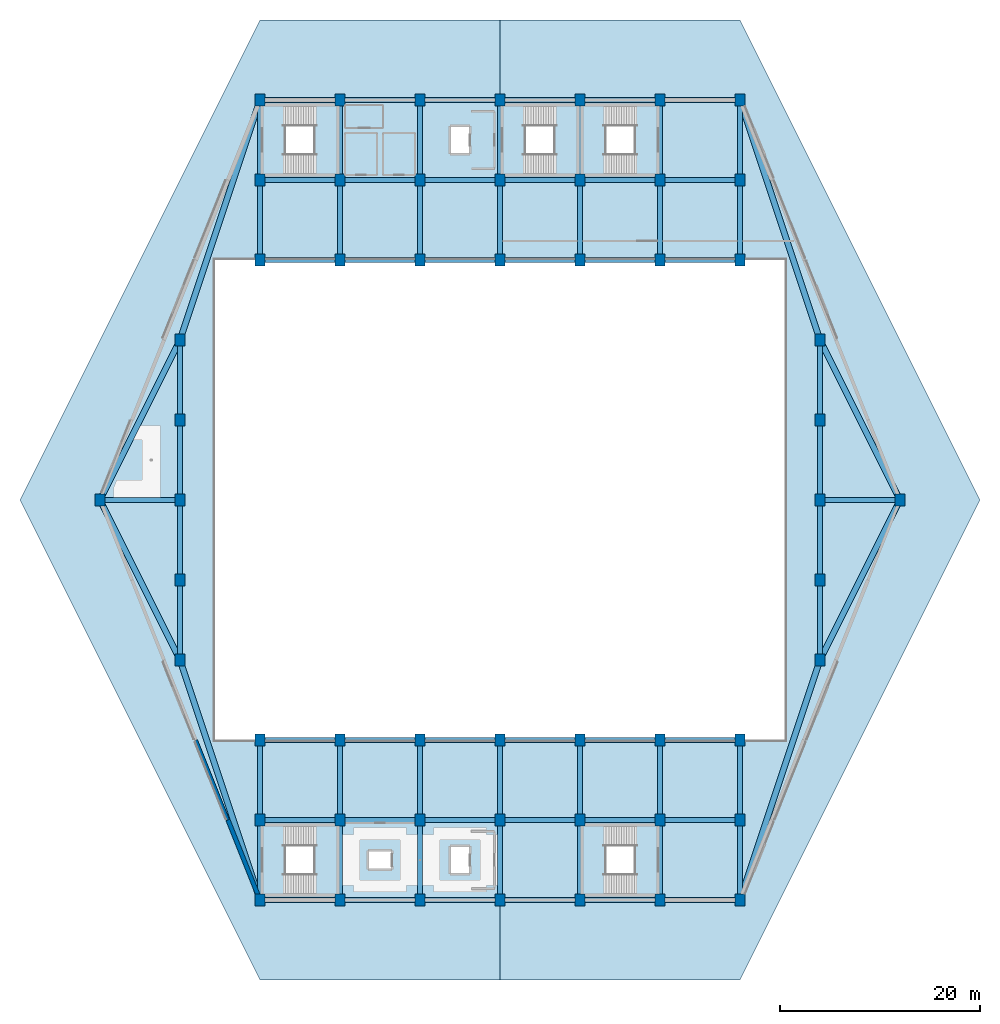
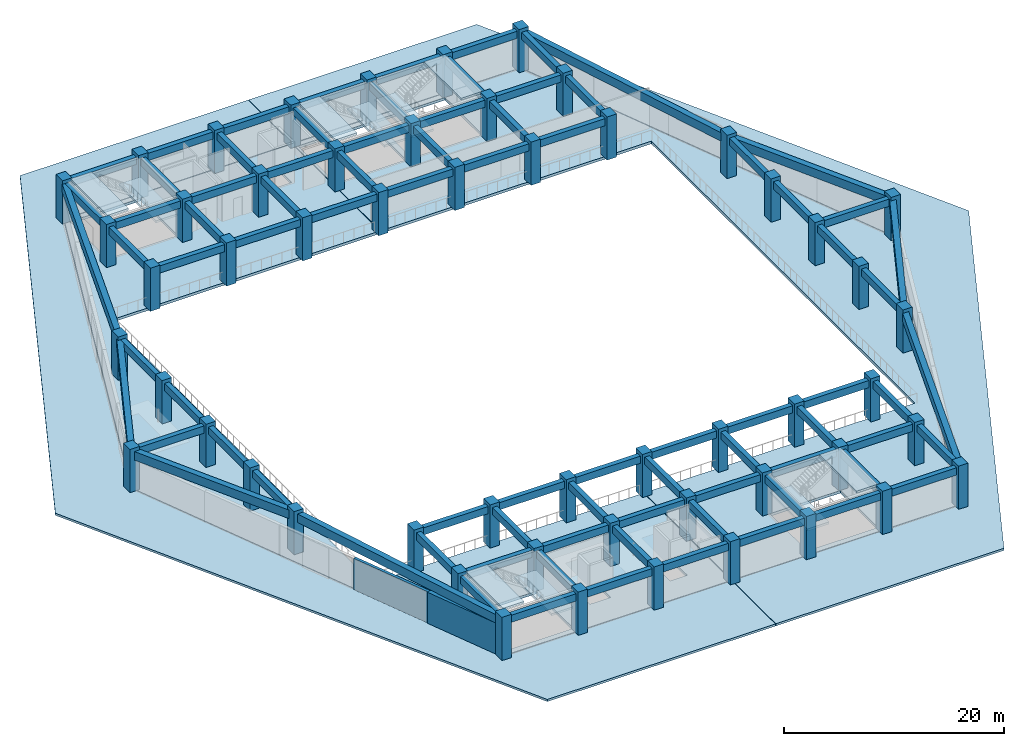
# One storey, part 1 of 8: 82 beams, 54 columns, 14 slabs, 2 walls, 5 elements without a shape of their own.
"""IFC4 building model written with IfcOpenShell, lengths in metres."""

from ifc_helpers import new_model, si_unit, direction, frame, frame_2d, origin, origin_2d, place, context, subcontext, project, spatial, polyline, rectangle, outline, extrude, material, layer, layer_set, material_profile, profile_set, type_object, element, aggregate, save


model = new_model("IFC4")

# Units and contexts
model_context = context("Model", 3, precision=1e-05, world=origin(), true_north=direction((0.0, 1.0)))
body_context = subcontext(model_context, "Body", "Model", "MODEL_VIEW")
ifc_project = project(units=[si_unit("LENGTHUNIT", "METRE"), si_unit("AREAUNIT", "SQUARE_METRE"), si_unit("VOLUMEUNIT", "CUBIC_METRE"), si_unit("PLANEANGLEUNIT", "RADIAN"), si_unit("MASSUNIT", "GRAM", prefix="KILO")], contexts=[model_context])

# Site, building, storey
site_placement = place(None, origin())
site = spatial("IfcSite", under=ifc_project, at=site_placement, CompositionType="ELEMENT")
building_placement = place(site_placement, origin())
building = spatial("IfcBuilding", under=site, at=building_placement, Name="Tazarka Park Arena", CompositionType="ELEMENT")
storey_placement = place(building_placement, frame((0.0, 0.0, 19.800048828125)))
storey = spatial("IfcBuildingStorey", under=building, at=storey_placement, Name="L04", CompositionType="ELEMENT", Elevation=19.800048828125)

# Columns
ifc_material_1 = material(Name="Concrete C50/60", Category="concrete")
ifc_material_profile_1 = material_profile(ifc_material_1, rectangle(XDim=1.0, YDim=1.199951171875, at=origin_2d()), Name="Concrete C50/60")
ifc_profile_set_1 = profile_set([ifc_material_profile_1], Name="Concrete C50/60")
column_type_1 = type_object("IfcColumnType", Name="COL-C-04", PredefinedType="COLUMN", material=ifc_profile_set_1)
for number, where, z_axis, x_axis, name in (
    (1, (72.0, 32.0, 0.0), (0.0, 0.0, 1.0), (1.0, 0.0, 0.0), "CLM-L04-09-04"),
    (2, (72.0, 96.0, 0.0), (0.0, 0.0, 1.0), (1.0, 0.0, 0.0), "CLM-L04-09-12"),
    (3, (80.0, 32.0, 0.0), (0.0, 0.0, 1.0), (1.0, 0.0, 0.0), "CLM-L04-10-04"),
    (4, (80.0, 96.0, 0.0), (0.0, 0.0, 1.0), (1.0, 0.0, 0.0), "CLM-L04-10-12"),
    (5, (88.0, 32.0, 0.0), (0.0, 0.0, 1.0), (1.0, 0.0, 0.0), "CLM-L04-11-04"),
    (6, (88.0, 96.0, 0.0), (0.0, 0.0, 1.0), (1.0, 0.0, 0.0), "CLM-L04-11-12"),
    (7, (96.0, 32.0, 0.0), (0.0, 0.0, 1.0), (1.0, 0.0, 0.0), "CLM-L04-12-04"),
    (8, (96.0, 96.0, 0.0), (0.0, 0.0, 1.0), (1.0, 0.0, 0.0), "CLM-L04-12-12"),
    (9, (104.0, 32.0, 0.0), (0.0, 0.0, 1.0), (1.0, 0.0, 0.0), "CLM-L04-13-04"),
    (10, (104.0, 96.0, 0.0), (0.0, 0.0, 1.0), (1.0, 0.0, 0.0), "CLM-L04-13-12"),
):
    element("IfcColumn", number, at=place(storey_placement, frame(where, z_axis=z_axis, x_axis=x_axis)), inside=storey, type_object=column_type_1, Name=name, PredefinedType="COLUMN", context=body_context, shape_type="SweptSolid", body=[
        extrude(rectangle(XDim=1.0, YDim=1.199951171875, at=origin_2d()), origin(), (0.0, 0.0, 1.0), 4.800048828125),
    ])
ifc_material_2 = material(Name="Concrete C50/60", Category="concrete")
ifc_material_profile_2 = material_profile(ifc_material_2, rectangle(XDim=1.0, YDim=1.199951171875, at=origin_2d()), Name="Concrete C50/60")
ifc_profile_set_2 = profile_set([ifc_material_profile_2], Name="Concrete C50/60")
column_type_2 = type_object("IfcColumnType", Name="COL-C-07", PredefinedType="COLUMN", material=ifc_profile_set_2)
for number, where, z_axis, x_axis, name in (
    (11, (48.0, 64.0, 0.0), (0.0, 0.0, 1.0), (1.0, 0.0, 0.0), "CLM-L04-06-08"),
    (12, (56.0, 48.0, 0.0), (0.0, 0.0, 1.0), (1.0, 0.0, 0.0), "CLM-L04-07-06"),
    (13, (56.0, 56.0, 0.0), (0.0, 0.0, 1.0), (1.0, 0.0, 0.0), "CLM-L04-07-07"),
    (14, (56.0, 64.0, 0.0), (0.0, 0.0, 1.0), (1.0, 0.0, 0.0), "CLM-L04-07-08"),
    (15, (56.0, 72.0, 0.0), (0.0, 0.0, 1.0), (1.0, 0.0, 0.0), "CLM-L04-07-09"),
    (16, (56.0, 80.0, 0.0), (0.0, 0.0, 1.0), (1.0, 0.0, 0.0), "CLM-L04-07-10"),
    (17, (64.0, 24.0, 0.0), (0.0, 0.0, 1.0), (1.0, 0.0, 0.0), "CLM-L04-08-03"),
    (18, (64.0, 32.0, 0.0), (0.0, 0.0, 1.0), (1.0, 0.0, 0.0), "CLM-L04-08-04"),
    (19, (64.0, 40.0, 0.0), (0.0, 0.0, 1.0), (1.0, 0.0, 0.0), "CLM-L04-08-05"),
    (20, (64.0, 88.0, 0.0), (0.0, 0.0, 1.0), (1.0, 0.0, 0.0), "CLM-L04-08-11"),
    (21, (64.0, 96.0, 0.0), (0.0, 0.0, 1.0), (1.0, 0.0, 0.0), "CLM-L04-08-12"),
    (22, (64.0, 104.0, 0.0), (0.0, 0.0, 1.0), (1.0, 0.0, 0.0), "CLM-L04-08-13"),
    (23, (72.0, 24.0, 0.0), (0.0, 0.0, 1.0), (1.0, 0.0, 0.0), "CLM-L04-09-03"),
    (24, (72.0, 40.0, 0.0), (0.0, 0.0, 1.0), (1.0, 0.0, 0.0), "CLM-L04-09-05"),
    (25, (72.0, 88.0, 0.0), (0.0, 0.0, 1.0), (1.0, 0.0, 0.0), "CLM-L04-09-11"),
    (26, (72.0, 104.0, 0.0), (0.0, 0.0, 1.0), (1.0, 0.0, 0.0), "CLM-L04-09-13"),
    (27, (80.0, 24.0, 0.0), (0.0, 0.0, 1.0), (1.0, 0.0, 0.0), "CLM-L04-10-03"),
    (28, (80.0, 40.0, 0.0), (0.0, 0.0, 1.0), (1.0, 0.0, 0.0), "CLM-L04-10-05"),
    (29, (80.0, 88.0, 0.0), (0.0, 0.0, 1.0), (1.0, 0.0, 0.0), "CLM-L04-10-11"),
    (30, (80.0, 104.0, 0.0), (0.0, 0.0, 1.0), (1.0, 0.0, 0.0), "CLM-L04-10-13"),
    (31, (88.0, 24.0, 0.0), (0.0, 0.0, 1.0), (1.0, 0.0, 0.0), "CLM-L04-11-03"),
    (32, (88.0, 40.0, 0.0), (0.0, 0.0, 1.0), (1.0, 0.0, 0.0), "CLM-L04-11-05"),
    (33, (88.0, 88.0, 0.0), (0.0, 0.0, 1.0), (1.0, 0.0, 0.0), "CLM-L04-11-11"),
    (34, (88.0, 104.0, 0.0), (0.0, 0.0, 1.0), (1.0, 0.0, 0.0), "CLM-L04-11-13"),
    (35, (96.0, 24.0, 0.0), (0.0, 0.0, 1.0), (1.0, 0.0, 0.0), "CLM-L04-12-03"),
    (36, (96.0, 40.0, 0.0), (0.0, 0.0, 1.0), (1.0, 0.0, 0.0), "CLM-L04-12-05"),
    (37, (96.0, 88.0, 0.0), (0.0, 0.0, 1.0), (1.0, 0.0, 0.0), "CLM-L04-12-11"),
    (38, (96.0, 104.0, 0.0), (0.0, 0.0, 1.0), (1.0, 0.0, 0.0), "CLM-L04-12-13"),
    (39, (104.0, 24.0, 0.0), (0.0, 0.0, 1.0), (1.0, 0.0, 0.0), "CLM-L04-13-03"),
    (40, (104.0, 40.0, 0.0), (0.0, 0.0, 1.0), (1.0, 0.0, 0.0), "CLM-L04-13-05"),
    (41, (104.0, 88.0, 0.0), (0.0, 0.0, 1.0), (1.0, 0.0, 0.0), "CLM-L04-13-11"),
    (42, (104.0, 104.0, 0.0), (0.0, 0.0, 1.0), (1.0, 0.0, 0.0), "CLM-L04-13-13"),
    (43, (112.0, 24.0, 0.0), (0.0, 0.0, 1.0), (1.0, 0.0, 0.0), "CLM-L04-14-03"),
    (44, (112.0, 32.0, 0.0), (0.0, 0.0, 1.0), (1.0, 0.0, 0.0), "CLM-L04-14-04"),
    (45, (112.0, 40.0, 0.0), (0.0, 0.0, 1.0), (1.0, 0.0, 0.0), "CLM-L04-14-05"),
    (46, (112.0, 88.0, 0.0), (0.0, 0.0, 1.0), (1.0, 0.0, 0.0), "CLM-L04-14-11"),
    (47, (112.0, 96.0, 0.0), (0.0, 0.0, 1.0), (1.0, 0.0, 0.0), "CLM-L04-14-12"),
    (48, (112.0, 104.0, 0.0), (0.0, 0.0, 1.0), (1.0, 0.0, 0.0), "CLM-L04-14-13"),
    (49, (120.0, 48.0, 0.0), (0.0, 0.0, 1.0), (1.0, 0.0, 0.0), "CLM-L04-15-06"),
    (50, (120.0, 56.0, 0.0), (0.0, 0.0, 1.0), (1.0, 0.0, 0.0), "CLM-L04-15-07"),
    (51, (120.0, 64.0, 0.0), (0.0, 0.0, 1.0), (1.0, 0.0, 0.0), "CLM-L04-15-08"),
    (52, (120.0, 72.0, 0.0), (0.0, 0.0, 1.0), (1.0, 0.0, 0.0), "CLM-L04-15-09"),
    (53, (120.0, 80.0, 0.0), (0.0, 0.0, 1.0), (1.0, 0.0, 0.0), "CLM-L04-15-10"),
    (54, (128.0, 64.0, 0.0), (0.0, 0.0, 1.0), (1.0, 0.0, 0.0), "CLM-L04-16-08"),
):
    element("IfcColumn", number, at=place(storey_placement, frame(where, z_axis=z_axis, x_axis=x_axis)), inside=storey, type_object=column_type_2, Name=name, PredefinedType="COLUMN", context=body_context, shape_type="SweptSolid", body=[
        extrude(rectangle(XDim=1.0, YDim=1.199951171875, at=origin_2d()), origin(), (0.0, 0.0, 1.0), 4.800048828125),
    ])

# Beams
ifc_material_3 = material(Name="Concrete C40/50", Category="concrete")
ifc_material_profile_3 = material_profile(ifc_material_3, rectangle(XDim=0.5, YDim=0.800048828125, at=origin_2d()), Name="Concrete C40/50")
ifc_profile_set_3 = profile_set([ifc_material_profile_3], Name="Concrete C40/50")
beam_type_1 = type_object("IfcBeamType", Name="BM-B-02", PredefinedType="BEAM", material=ifc_profile_set_3)
for number, where, z_axis, x_axis, name in (
    (55, (64.1201171875, 32.0, 4.02001953125), (1.0, 0.0, 0.0), (0.0, 1.0, 0.0), "GXM-L04-08-04"),
    (56, (64.1201171875, 96.0, 4.02001953125), (1.0, 0.0, 0.0), (0.0, 1.0, 0.0), "GXM-L04-08-12"),
    (57, (72.0, 24.1201171875, 4.02001953125), (0.0, 1.0, 0.0), (-1.0, 0.0, 0.0), "GYM-L04-09-03"),
    (58, (72.1201171875, 32.0, 4.02001953125), (1.0, 0.0, 0.0), (0.0, 1.0, 0.0), "GXM-L04-09-04"),
    (59, (72.0, 32.1201171875, 4.02001953125), (0.0, 1.0, 0.0), (-1.0, 0.0, 0.0), "GYM-L04-09-04"),
    (60, (72.0, 88.1201171875, 4.02001953125), (0.0, 1.0, 0.0), (-1.0, 0.0, 0.0), "GYM-L04-09-11"),
    (61, (72.1201171875, 96.0, 4.02001953125), (1.0, 0.0, 0.0), (0.0, 1.0, 0.0), "GXM-L04-09-12"),
    (62, (72.0, 96.1201171875, 4.02001953125), (0.0, 1.0, 0.0), (-1.0, 0.0, 0.0), "GYM-L04-09-12"),
    (63, (80.0, 24.1201171875, 4.02001953125), (0.0, 1.0, 0.0), (-1.0, 0.0, 0.0), "GYM-L04-10-03"),
    (64, (80.1201171875, 32.0, 4.02001953125), (1.0, 0.0, 0.0), (0.0, 1.0, 0.0), "GXM-L04-10-04"),
    (65, (80.0, 32.1201171875, 4.02001953125), (0.0, 1.0, 0.0), (-1.0, 0.0, 0.0), "GYM-L04-10-04"),
    (66, (80.0, 88.1201171875, 4.02001953125), (0.0, 1.0, 0.0), (-1.0, 0.0, 0.0), "GYM-L04-10-11"),
    (67, (80.1201171875, 96.0, 4.02001953125), (1.0, 0.0, 0.0), (0.0, 1.0, 0.0), "GXM-L04-10-12"),
    (68, (80.0, 96.1201171875, 4.02001953125), (0.0, 1.0, 0.0), (-1.0, 0.0, 0.0), "GYM-L04-10-12"),
    (69, (88.0, 24.1201171875, 4.02001953125), (0.0, 1.0, 0.0), (-1.0, 0.0, 0.0), "GYM-L04-11-03"),
    (70, (88.1201171875, 32.0, 4.02001953125), (1.0, 0.0, 0.0), (0.0, 1.0, 0.0), "GXM-L04-11-04"),
    (71, (88.0, 32.1201171875, 4.02001953125), (0.0, 1.0, 0.0), (-1.0, 0.0, 0.0), "GYM-L04-11-04"),
    (72, (88.0, 88.1201171875, 4.02001953125), (0.0, 1.0, 0.0), (-1.0, 0.0, 0.0), "GYM-L04-11-11"),
    (73, (88.1201171875, 96.0, 4.02001953125), (1.0, 0.0, 0.0), (0.0, 1.0, 0.0), "GXM-L04-11-12"),
    (74, (88.0, 96.1201171875, 4.02001953125), (0.0, 1.0, 0.0), (-1.0, 0.0, 0.0), "GYM-L04-11-12"),
    (75, (96.0, 24.1201171875, 4.02001953125), (0.0, 1.0, 0.0), (-1.0, 0.0, 0.0), "GYM-L04-12-03"),
    (76, (96.1201171875, 32.0, 4.02001953125), (1.0, 0.0, 0.0), (0.0, 1.0, 0.0), "GXM-L04-12-04"),
    (77, (96.0, 32.1201171875, 4.02001953125), (0.0, 1.0, 0.0), (-1.0, 0.0, 0.0), "GYM-L04-12-04"),
    (78, (96.0, 88.1201171875, 4.02001953125), (0.0, 1.0, 0.0), (-1.0, 0.0, 0.0), "GYM-L04-12-11"),
    (79, (96.1201171875, 96.0, 4.02001953125), (1.0, 0.0, 0.0), (0.0, 1.0, 0.0), "GXM-L04-12-12"),
    (80, (96.0, 96.1201171875, 4.02001953125), (0.0, 1.0, 0.0), (-1.0, 0.0, 0.0), "GYM-L04-12-12"),
    (81, (104.0, 24.1201171875, 4.02001953125), (0.0, 1.0, 0.0), (-1.0, 0.0, 0.0), "GYM-L04-13-03"),
    (82, (104.1201171875, 32.0, 4.02001953125), (1.0, 0.0, 0.0), (0.0, 1.0, 0.0), "GXM-L04-13-04"),
    (83, (104.0, 32.1201171875, 4.02001953125), (0.0, 1.0, 0.0), (-1.0, 0.0, 0.0), "GYM-L04-13-04"),
    (84, (104.0, 88.1201171875, 4.02001953125), (0.0, 1.0, 0.0), (-1.0, 0.0, 0.0), "GYM-L04-13-11"),
    (85, (104.1201171875, 96.0, 4.02001953125), (1.0, 0.0, 0.0), (0.0, 1.0, 0.0), "GXM-L04-13-12"),
    (86, (104.0, 96.1201171875, 4.02001953125), (0.0, 1.0, 0.0), (-1.0, 0.0, 0.0), "GYM-L04-13-12"),
    (87, (120.1201171875, 64.0, 4.02001953125), (1.0, 0.0, 0.0), (0.0, 1.0, 0.0), "GXM-L04-15-08"),
):
    element("IfcBeam", number, at=place(storey_placement, frame(where, z_axis=z_axis, x_axis=x_axis)), inside=storey, type_object=beam_type_1, Name=name, PredefinedType="BEAM", context=body_context, shape_type="SweptSolid", body=[
        extrude(rectangle(XDim=0.5, YDim=0.800048828125, at=origin_2d()), origin(), (0.0, 0.0, 1.0), 7.759765625),
    ])
ifc_material_4 = material(Name="Concrete C40/50", Category="concrete")
ifc_material_profile_4 = material_profile(ifc_material_4, rectangle(XDim=0.5, YDim=0.800048828125, at=origin_2d()), Name="Concrete C40/50")
ifc_profile_set_4 = profile_set([ifc_material_profile_4], Name="Concrete C40/50")
beam_type_2 = type_object("IfcBeamType", Name="BM-SP-01", PredefinedType="SPANDREL", material=ifc_profile_set_4)
for number, where, z_axis, x_axis, name in (
    (88, (48.1201171875, 64.0, 4.02001953125), (1.0, 0.0, 0.0), (0.0, 1.0, 0.0), "GXM-L04-06-08"),
    (89, (56.0, 48.1201171875, 4.02001953125), (0.0, 1.0, 0.0), (-1.0, 0.0, 0.0), "GYM-L04-07-06"),
    (90, (56.0, 56.1201171875, 4.02001953125), (0.0, 1.0, 0.0), (-1.0, 0.0, 0.0), "GYM-L04-07-07"),
    (91, (56.0, 64.1201171875, 4.02001953125), (0.0, 1.0, 0.0), (-1.0, 0.0, 0.0), "GYM-L04-07-08"),
    (92, (56.0, 72.1201171875, 4.02001953125), (0.0, 1.0, 0.0), (-1.0, 0.0, 0.0), "GYM-L04-07-09"),
    (93, (64.1201171875, 24.0, 4.02001953125), (1.0, 0.0, 0.0), (0.0, 1.0, 0.0), "GXM-L04-08-03"),
    (94, (64.0, 24.1201171875, 4.02001953125), (0.0, 1.0, 0.0), (-1.0, 0.0, 0.0), "GYM-L04-08-03"),
    (95, (64.0, 32.1201171875, 4.02001953125), (0.0, 1.0, 0.0), (-1.0, 0.0, 0.0), "GYM-L04-08-04"),
    (96, (64.1201171875, 40.0, 4.02001953125), (1.0, 0.0, 0.0), (0.0, 1.0, 0.0), "GXM-L04-08-05"),
    (97, (64.1201171875, 88.0, 4.02001953125), (1.0, 0.0, 0.0), (0.0, 1.0, 0.0), "GXM-L04-08-11"),
    (98, (64.0, 88.1201171875, 4.02001953125), (0.0, 1.0, 0.0), (-1.0, 0.0, 0.0), "GYM-L04-08-11"),
    (99, (64.0, 96.1201171875, 4.02001953125), (0.0, 1.0, 0.0), (-1.0, 0.0, 0.0), "GYM-L04-08-12"),
    (100, (64.1201171875, 104.0, 4.02001953125), (1.0, 0.0, 0.0), (0.0, 1.0, 0.0), "GXM-L04-08-13"),
    (101, (72.1201171875, 24.0, 4.02001953125), (1.0, 0.0, 0.0), (0.0, 1.0, 0.0), "GXM-L04-09-03"),
    (102, (72.1201171875, 40.0, 4.02001953125), (1.0, 0.0, 0.0), (0.0, 1.0, 0.0), "GXM-L04-09-05"),
    (103, (72.1201171875, 88.0, 4.02001953125), (1.0, 0.0, 0.0), (0.0, 1.0, 0.0), "GXM-L04-09-11"),
    (104, (72.1201171875, 104.0, 4.02001953125), (1.0, 0.0, 0.0), (0.0, 1.0, 0.0), "GXM-L04-09-13"),
    (105, (80.1201171875, 24.0, 4.02001953125), (1.0, 0.0, 0.0), (0.0, 1.0, 0.0), "GXM-L04-10-03"),
    (106, (80.1201171875, 40.0, 4.02001953125), (1.0, 0.0, 0.0), (0.0, 1.0, 0.0), "GXM-L04-10-05"),
    (107, (80.1201171875, 88.0, 4.02001953125), (1.0, 0.0, 0.0), (0.0, 1.0, 0.0), "GXM-L04-10-11"),
    (108, (80.1201171875, 104.0, 4.02001953125), (1.0, 0.0, 0.0), (0.0, 1.0, 0.0), "GXM-L04-10-13"),
    (109, (88.1201171875, 24.0, 4.02001953125), (1.0, 0.0, 0.0), (0.0, 1.0, 0.0), "GXM-L04-11-03"),
    (110, (88.1201171875, 40.0, 4.02001953125), (1.0, 0.0, 0.0), (0.0, 1.0, 0.0), "GXM-L04-11-05"),
    (111, (88.1201171875, 88.0, 4.02001953125), (1.0, 0.0, 0.0), (0.0, 1.0, 0.0), "GXM-L04-11-11"),
    (112, (88.1201171875, 104.0, 4.02001953125), (1.0, 0.0, 0.0), (0.0, 1.0, 0.0), "GXM-L04-11-13"),
    (113, (96.1201171875, 24.0, 4.02001953125), (1.0, 0.0, 0.0), (0.0, 1.0, 0.0), "GXM-L04-12-03"),
    (114, (96.1201171875, 40.0, 4.02001953125), (1.0, 0.0, 0.0), (0.0, 1.0, 0.0), "GXM-L04-12-05"),
    (115, (96.1201171875, 88.0, 4.02001953125), (1.0, 0.0, 0.0), (0.0, 1.0, 0.0), "GXM-L04-12-11"),
    (116, (96.1201171875, 104.0, 4.02001953125), (1.0, 0.0, 0.0), (0.0, 1.0, 0.0), "GXM-L04-12-13"),
    (117, (104.1201171875, 24.0, 4.02001953125), (1.0, 0.0, 0.0), (0.0, 1.0, 0.0), "GXM-L04-13-03"),
    (118, (104.1201171875, 40.0, 4.02001953125), (1.0, 0.0, 0.0), (0.0, 1.0, 0.0), "GXM-L04-13-05"),
    (119, (104.1201171875, 88.0, 4.02001953125), (1.0, 0.0, 0.0), (0.0, 1.0, 0.0), "GXM-L04-13-11"),
    (120, (104.1201171875, 104.0, 4.02001953125), (1.0, 0.0, 0.0), (0.0, 1.0, 0.0), "GXM-L04-13-13"),
    (121, (112.0, 24.1201171875, 4.02001953125), (0.0, 1.0, 0.0), (-1.0, 0.0, 0.0), "GYM-L04-14-03"),
    (122, (112.0, 32.1201171875, 4.02001953125), (0.0, 1.0, 0.0), (-1.0, 0.0, 0.0), "GYM-L04-14-04"),
    (123, (112.0, 88.1201171875, 4.02001953125), (0.0, 1.0, 0.0), (-1.0, 0.0, 0.0), "GYM-L04-14-11"),
    (124, (112.0, 96.1201171875, 4.02001953125), (0.0, 1.0, 0.0), (-1.0, 0.0, 0.0), "GYM-L04-14-12"),
    (125, (120.0, 48.1201171875, 4.02001953125), (0.0, 1.0, 0.0), (-1.0, 0.0, 0.0), "GYM-L04-15-06"),
    (126, (120.0, 56.1201171875, 4.02001953125), (0.0, 1.0, 0.0), (-1.0, 0.0, 0.0), "GYM-L04-15-07"),
    (127, (120.0, 64.1201171875, 4.02001953125), (0.0, 1.0, 0.0), (-1.0, 0.0, 0.0), "GYM-L04-15-08"),
    (128, (120.0, 72.1201171875, 4.02001953125), (0.0, 1.0, 0.0), (-1.0, 0.0, 0.0), "GYM-L04-15-09"),
):
    element("IfcBeam", number, at=place(storey_placement, frame(where, z_axis=z_axis, x_axis=x_axis)), inside=storey, type_object=beam_type_2, Name=name, PredefinedType="SPANDREL", context=body_context, shape_type="SweptSolid", body=[
        extrude(rectangle(XDim=0.5, YDim=0.800048828125, at=origin_2d()), origin(), (0.0, 0.0, 1.0), 7.759765625),
    ])
ifc_material_5 = material(Name="Concrete C40/50", Category="concrete")
ifc_material_profile_5 = material_profile(ifc_material_5, rectangle(XDim=0.60009765625, YDim=0.949951171875, at=origin_2d()), Name="Concrete C40/50")
ifc_profile_set_5 = profile_set([ifc_material_profile_5], Name="Concrete C40/50")
beam_type_3 = type_object("IfcBeamType", Name="BM-SP-03", PredefinedType="SPANDREL", material=ifc_profile_set_5)
beam_1_placement = place(storey_placement, frame((112.037841796875, 24.11376953125, 3.945068359375), z_axis=(0.316233611724, 0.948681349461, 0.0), x_axis=(-0.948681349461, 0.316233611724, 0.0)))
element("IfcBeam", 129, at=beam_1_placement, inside=storey, type_object=beam_type_3, Name="RING BEAM SP-03-L04-07", PredefinedType="SPANDREL", context=body_context, shape_type="SweptSolid", body=[
    extrude(rectangle(XDim=0.60009765625, YDim=0.949951171875, at=origin_2d()), origin(), (0.0, 0.0, 1.0), 25.058349609375),
])
for number, where, z_axis, x_axis, name in (
    (130, (120.0537109375, 48.107421875, 3.945068359375), (0.4472135955, 0.894427191, 0.0), (-0.894427191, 0.4472135955, 0.0), "RING BEAM SP-03-L04-08"),
    (131, (127.9462890625, 64.107421875, 3.945068359375), (-0.4472135955, 0.894427191, 0.0), (-0.894427191, -0.4472135955, 0.0), "RING BEAM SP-03-L04-09"),
):
    element("IfcBeam", number, at=place(storey_placement, frame(where, z_axis=z_axis, x_axis=x_axis)), inside=storey, type_object=beam_type_3, Name=name, PredefinedType="SPANDREL", context=body_context, shape_type="SweptSolid", body=[
        extrude(rectangle(XDim=0.60009765625, YDim=0.949951171875, at=origin_2d()), origin(), (0.0, 0.0, 1.0), 17.6484375),
    ])
for number, where, z_axis, x_axis, name in (
    (132, (119.962158203125, 80.11376953125, 3.945068359375), (-0.316233611724, 0.948681349461, 0.0), (-0.948681349461, -0.316233611724, 0.0), "RING BEAM SP-03-L04-10"),
    (133, (63.962158203125, 103.88623046875, 3.945068359375), (-0.316233611724, -0.948681349461, 0.0), (0.948681349461, -0.316233611724, 0.0), "RING BEAM SP-03-L04-17"),
):
    element("IfcBeam", number, at=place(storey_placement, frame(where, z_axis=z_axis, x_axis=x_axis)), inside=storey, type_object=beam_type_3, Name=name, PredefinedType="SPANDREL", context=body_context, shape_type="SweptSolid", body=[
        extrude(rectangle(XDim=0.60009765625, YDim=0.949951171875, at=origin_2d()), origin(), (0.0, 0.0, 1.0), 25.058349609375),
    ])
for number, where, z_axis, x_axis, name in (
    (134, (55.9462890625, 79.892578125, 3.945068359375), (-0.4472135955, -0.894427191, 0.0), (0.894427191, -0.4472135955, 0.0), "RING BEAM SP-03-L04-18"),
    (135, (48.0537109375, 63.892578125, 3.945068359375), (0.4472135955, -0.894427191, 0.0), (0.894427191, 0.4472135955, 0.0), "RING BEAM SP-03-L04-19"),
):
    element("IfcBeam", number, at=place(storey_placement, frame(where, z_axis=z_axis, x_axis=x_axis)), inside=storey, type_object=beam_type_3, Name=name, PredefinedType="SPANDREL", context=body_context, shape_type="SweptSolid", body=[
        extrude(rectangle(XDim=0.60009765625, YDim=0.949951171875, at=origin_2d()), origin(), (0.0, 0.0, 1.0), 17.6484375),
    ])
beam_2_placement = place(storey_placement, frame((56.037841796875, 47.88623046875, 3.945068359375), z_axis=(0.316233611724, -0.948681349461, 0.0), x_axis=(0.948681349461, 0.316233611724, 0.0)))
element("IfcBeam", 136, at=beam_2_placement, inside=storey, type_object=beam_type_3, Name="RING BEAM SP-03-L04-20", PredefinedType="SPANDREL", context=body_context, shape_type="SweptSolid", body=[
    extrude(rectangle(XDim=0.60009765625, YDim=0.949951171875, at=origin_2d()), origin(), (0.0, 0.0, 1.0), 25.058349609375),
])

# Stair, slabs
ifc_material_6 = material(Name="Precast concrete C40/50", Category="concrete")
stair_type = type_object("IfcStairType", Name="STR-2400", PredefinedType="HALF_TURN_STAIR", material=ifc_material_6)
stair_1_placement = place(storey_placement, origin())
stair_1 = element("IfcStair", 137, at=stair_1_placement, inside=storey, type_object=stair_type, Name="Stair ST09 L04", PredefinedType="HALF_TURN_STAIR")
ifc_material_7 = material(Name="Precast concrete C40/50", Category="concrete")
ifc_layer_1 = layer(ifc_material_7, 0.22998046875, Name="Precast concrete C40/50")
ifc_layer_set_1 = layer_set([ifc_layer_1], Name="Precast concrete C40/50")
slab_type_1 = type_object("IfcSlabType", Name="LND-03", PredefinedType="LANDING", material=ifc_layer_set_1)
slab_1_placement = place(storey_placement, frame((0.0, 0.0, 2.169921875)))
slab_1 = element("IfcSlab", 138, at=slab_1_placement, type_object=slab_type_1, Name="ST09-L04 landing 1", PredefinedType="LANDING", context=body_context, shape_type="SweptSolid", body=[
    extrude(outline(polyline([(69.409912109375, 24.610107421875), (71.68994140625, 24.610107421875), (71.68994140625, 31.389892578125), (69.409912109375, 31.389892578125), (69.409912109375, 24.610107421875)])), origin(), (0.0, 0.0, 1.0), 0.22998046875),
])
slab_2_placement = place(storey_placement, frame((0.0, 0.0, 4.570068359375)))
slab_2 = element("IfcSlab", 139, at=slab_2_placement, type_object=slab_type_1, Name="ST09-L04 landing 2", PredefinedType="LANDING", context=body_context, shape_type="SweptSolid", body=[
    extrude(outline(polyline([(64.31005859375, 24.610107421875), (66.534912109375, 24.610107421875), (66.534912109375, 31.389892578125), (64.31005859375, 31.389892578125), (64.31005859375, 24.610107421875)])), origin(), (0.0, 0.0, 1.0), 0.22998046875),
])
aggregate(stair_1, [slab_1, slab_2])

stair_2_placement = place(storey_placement, origin())
stair_2 = element("IfcStair", 140, at=stair_2_placement, inside=storey, type_object=stair_type, Name="Stair ST10 L04", PredefinedType="HALF_TURN_STAIR")
slab_3_placement = place(storey_placement, frame((0.0, 0.0, 2.169921875)))
slab_3 = element("IfcSlab", 141, at=slab_3_placement, type_object=slab_type_1, Name="ST10-L04 landing 1", PredefinedType="LANDING", context=body_context, shape_type="SweptSolid", body=[
    extrude(outline(polyline([(96.31005859375, 96.610107421875), (98.590087890625, 96.610107421875), (98.590087890625, 103.389892578125), (96.31005859375, 103.389892578125), (96.31005859375, 96.610107421875)])), origin(), (0.0, 0.0, 1.0), 0.22998046875),
])
slab_4_placement = place(storey_placement, frame((0.0, 0.0, 4.570068359375)))
slab_4 = element("IfcSlab", 142, at=slab_4_placement, type_object=slab_type_1, Name="ST10-L04 landing 2", PredefinedType="LANDING", context=body_context, shape_type="SweptSolid", body=[
    extrude(outline(polyline([(101.465087890625, 96.610107421875), (103.68994140625, 96.610107421875), (103.68994140625, 103.389892578125), (101.465087890625, 103.389892578125), (101.465087890625, 96.610107421875)])), origin(), (0.0, 0.0, 1.0), 0.22998046875),
])
aggregate(stair_2, [slab_3, slab_4])

stair_3_placement = place(storey_placement, origin())
stair_3 = element("IfcStair", 143, at=stair_3_placement, inside=storey, type_object=stair_type, Name="Stair ST11 L04", PredefinedType="HALF_TURN_STAIR")
slab_5_placement = place(storey_placement, frame((0.0, 0.0, 2.169921875)))
slab_5 = element("IfcSlab", 144, at=slab_5_placement, type_object=slab_type_1, Name="ST11-L04 landing 1", PredefinedType="LANDING", context=body_context, shape_type="SweptSolid", body=[
    extrude(outline(polyline([(96.31005859375, 24.610107421875), (98.590087890625, 24.610107421875), (98.590087890625, 31.389892578125), (96.31005859375, 31.389892578125), (96.31005859375, 24.610107421875)])), origin(), (0.0, 0.0, 1.0), 0.22998046875),
])
slab_6_placement = place(storey_placement, frame((0.0, 0.0, 4.570068359375)))
slab_6 = element("IfcSlab", 145, at=slab_6_placement, type_object=slab_type_1, Name="ST11-L04 landing 2", PredefinedType="LANDING", context=body_context, shape_type="SweptSolid", body=[
    extrude(outline(polyline([(101.465087890625, 24.610107421875), (103.68994140625, 24.610107421875), (103.68994140625, 31.389892578125), (101.465087890625, 31.389892578125), (101.465087890625, 24.610107421875)])), origin(), (0.0, 0.0, 1.0), 0.22998046875),
])
aggregate(stair_3, [slab_5, slab_6])

stair_4_placement = place(storey_placement, origin())
stair_4 = element("IfcStair", 146, at=stair_4_placement, inside=storey, type_object=stair_type, Name="Stair ST14 L04", PredefinedType="HALF_TURN_STAIR")
slab_7_placement = place(storey_placement, frame((0.0, 0.0, 2.169921875)))
slab_7 = element("IfcSlab", 147, at=slab_7_placement, type_object=slab_type_1, Name="ST14-L04 landing 1", PredefinedType="LANDING", context=body_context, shape_type="SweptSolid", body=[
    extrude(outline(polyline([(69.409912109375, 96.610107421875), (71.68994140625, 96.610107421875), (71.68994140625, 103.389892578125), (69.409912109375, 103.389892578125), (69.409912109375, 96.610107421875)])), origin(), (0.0, 0.0, 1.0), 0.22998046875),
])
slab_8_placement = place(storey_placement, frame((0.0, 0.0, 4.570068359375)))
slab_8 = element("IfcSlab", 148, at=slab_8_placement, type_object=slab_type_1, Name="ST14-L04 landing 2", PredefinedType="LANDING", context=body_context, shape_type="SweptSolid", body=[
    extrude(outline(polyline([(64.31005859375, 96.610107421875), (66.534912109375, 96.610107421875), (66.534912109375, 103.389892578125), (64.31005859375, 103.389892578125), (64.31005859375, 96.610107421875)])), origin(), (0.0, 0.0, 1.0), 0.22998046875),
])
aggregate(stair_4, [slab_7, slab_8])

stair_5_placement = place(storey_placement, origin())
stair_5 = element("IfcStair", 149, at=stair_5_placement, inside=storey, type_object=stair_type, Name="Stair ST15 L04", PredefinedType="HALF_TURN_STAIR")
slab_9_placement = place(storey_placement, frame((0.0, 0.0, 2.169921875)))
slab_9 = element("IfcSlab", 150, at=slab_9_placement, type_object=slab_type_1, Name="ST15-L04 landing 1", PredefinedType="LANDING", context=body_context, shape_type="SweptSolid", body=[
    extrude(outline(polyline([(93.409912109375, 96.610107421875), (95.68994140625, 96.610107421875), (95.68994140625, 103.389892578125), (93.409912109375, 103.389892578125), (93.409912109375, 96.610107421875)])), origin(), (0.0, 0.0, 1.0), 0.22998046875),
])
slab_10_placement = place(storey_placement, frame((0.0, 0.0, 4.570068359375)))
slab_10 = element("IfcSlab", 151, at=slab_10_placement, type_object=slab_type_1, Name="ST15-L04 landing 2", PredefinedType="LANDING", context=body_context, shape_type="SweptSolid", body=[
    extrude(outline(polyline([(88.31005859375, 96.610107421875), (90.534912109375, 96.610107421875), (90.534912109375, 103.389892578125), (88.31005859375, 103.389892578125), (88.31005859375, 96.610107421875)])), origin(), (0.0, 0.0, 1.0), 0.22998046875),
])
aggregate(stair_5, [slab_9, slab_10])

# Slabs
ifc_material_8 = material(Name="Concrete C35/45", Category="concrete")
ifc_layer_2 = layer(ifc_material_8, 0.340087890625, Name="Concrete C35/45")
ifc_layer_set_2 = layer_set([ifc_layer_2], Name="Concrete C35/45")
slab_type_2 = type_object("IfcSlabType", Name="SLB-SL-04", PredefinedType="FLOOR", material=ifc_layer_set_2)
slab_11_placement = place(storey_placement, frame((0.0, 0.0, -0.239990234375)))
element("IfcSlab", 152, at=slab_11_placement, inside=storey, type_object=slab_type_2, Name="HROOF-L04-01", PredefinedType="FLOOR", context=body_context, shape_type="SweptSolid", body=[
    extrude(outline(polyline([(87.97998046875, 112.0), (87.97998046875, 104.0400390625), (63.96875, 104.025146484375), (47.961669921875, 64.01123046875), (63.971435546875, 23.971923828125), (87.97998046875, 23.9599609375), (87.97998046875, 16.0), (64.0, 16.0), (40.0, 64.0), (64.0, 112.0), (87.97998046875, 112.0)])), origin(), (0.0, 0.0, 1.0), 0.239990234375),
])
slab_12_placement = place(storey_placement, frame((0.0, 0.0, -0.239990234375)))
element("IfcSlab", 153, at=slab_12_placement, inside=storey, type_object=slab_type_2, Name="HROOF-L04-02", PredefinedType="FLOOR", context=body_context, shape_type="SweptSolid", body=[
    extrude(outline(polyline([(112.0, 112.0), (135.97998046875, 64.0400390625), (135.97998046875, 63.9599609375), (112.0, 16.0), (88.02001953125, 16.0), (88.02001953125, 23.9599609375), (112.03125, 23.974853515625), (128.038330078125, 63.98876953125), (112.028564453125, 104.028076171875), (88.02001953125, 104.0400390625), (88.02001953125, 112.0), (112.0, 112.0)])), origin(), (0.0, 0.0, 1.0), 0.239990234375),
])
ifc_material_9 = material(Name="Concrete C35/45", Category="concrete")
ifc_layer_3 = layer(ifc_material_9, 0.294921875, Name="Concrete C35/45")
ifc_layer_set_3 = layer_set([ifc_layer_3], Name="Concrete C35/45")
slab_type_3 = type_object("IfcSlabType", Name="SLB-SL-07", PredefinedType="FLOOR", material=ifc_layer_set_3)
slab_13_placement = place(storey_placement, frame((0.0, 0.0, -0.295166015625)))
element("IfcSlab", 154, at=slab_13_placement, inside=storey, type_object=slab_type_3, Name="FLR-L04-BW-01", PredefinedType="FLOOR", context=body_context, shape_type="SweptSolid", body=[
    extrude(outline(polyline([(59.5, 88.0), (59.5, 40.0), (87.964111328125, 39.99658203125), (87.96142578125, 24.002197265625), (63.998779296875, 24.009033203125), (48.002197265625, 64.0), (63.998779296875, 103.990966796875), (87.9765625, 103.984130859375), (87.964111328125, 88.00341796875), (59.5, 88.0)]), holes=[polyline([(83.110107421875, 26.710693359375), (84.889892578125, 26.7099609375), (84.889892578125, 29.2900390625), (83.110107421875, 29.2900390625), (83.110107421875, 26.710693359375)]), polyline([(83.110107421875, 98.710693359375), (84.889892578125, 98.7099609375), (84.889892578125, 101.2900390625), (83.110107421875, 101.2900390625), (83.110107421875, 98.710693359375)]), polyline([(74.909912109375, 27.16064453125), (77.090087890625, 27.159912109375), (77.090087890625, 28.840087890625), (74.909912109375, 28.840087890625), (74.909912109375, 27.16064453125)]), polyline([(64.300048828125, 24.6005859375), (71.699951171875, 24.60009765625), (71.699951171875, 31.39990234375), (64.300048828125, 31.39990234375), (64.300048828125, 24.6005859375)]), polyline([(64.300048828125, 96.6005859375), (71.699951171875, 96.60009765625), (71.699951171875, 103.39990234375), (64.300048828125, 103.39990234375), (64.300048828125, 96.6005859375)])]), origin(), (0.0, 0.0, 1.0), 0.295166015625),
])
slab_14_placement = place(storey_placement, frame((0.0, 0.0, -0.295166015625)))
element("IfcSlab", 155, at=slab_14_placement, inside=storey, type_object=slab_type_3, Name="FLR-L04-BE-01", PredefinedType="FLOOR", context=body_context, shape_type="SweptSolid", body=[
    extrude(outline(polyline([(111.979736328125, 104.0), (127.99658203125, 63.99169921875), (112.001220703125, 24.009033203125), (88.041259765625, 24.001220703125), (88.035888671875, 39.99658203125), (116.5, 40.0), (116.5, 87.999267578125), (88.035888671875, 88.00341796875), (88.021240234375, 103.978759765625), (111.979736328125, 104.0)]), holes=[polyline([(96.300048828125, 24.6005859375), (103.699951171875, 24.60009765625), (103.699951171875, 31.39990234375), (96.300048828125, 31.39990234375), (96.300048828125, 24.6005859375)]), polyline([(96.300048828125, 96.6005859375), (103.699951171875, 96.60009765625), (103.699951171875, 103.39990234375), (96.300048828125, 103.39990234375), (96.300048828125, 96.6005859375)]), polyline([(88.300048828125, 96.6005859375), (95.699951171875, 96.60009765625), (95.699951171875, 103.39990234375), (88.300048828125, 103.39990234375), (88.300048828125, 96.6005859375)])]), origin(), (0.0, 0.0, 1.0), 0.295166015625),
])

# Walls
ifc_material_10 = material(Name="Precast concrete C40/50", Category="concrete")
ifc_layer_4 = layer(ifc_material_10, 0.300048828125, Name="Precast concrete C40/50")
ifc_layer_set_4 = layer_set([ifc_layer_4], Name="Precast concrete C40/50")
wall_type_1 = type_object("IfcWallType", Name="WAL-EW-01", PredefinedType="SOLIDWALL", material=ifc_layer_set_4)
wall_1_placement = place(storey_placement, frame((60.800048828125, 32.0, 0.0), z_axis=(0.0, 0.0, 1.0), x_axis=(-0.371385791018, 0.928478645005, 0.0)))
element("IfcWall", 156, at=wall_1_placement, inside=storey, type_object=wall_type_1, Name="EW-L04-0352", PredefinedType="SOLIDWALL", context=body_context, shape_type="SweptSolid", body=[
    extrude(rectangle(XDim=8.6162109375, YDim=0.300048828125, at=frame_2d((4.30810546875, 0.0))), origin(), (0.0, 0.0, 1.0), 3.449951171875),
])
ifc_material_11 = material(Name="Concrete C50/60", Category="concrete")
ifc_layer_5 = layer(ifc_material_11, 0.429931640625, Name="Concrete C50/60")
ifc_layer_set_5 = layer_set([ifc_layer_5], Name="Concrete C50/60")
wall_type_2 = type_object("IfcWallType", Name="WAL-EW-16", PredefinedType="SOLIDWALL", material=ifc_layer_set_5)
wall_2_placement = place(storey_placement, frame((63.76806640625, 24.580078125, 0.0), z_axis=(0.0, 0.0, 1.0), x_axis=(-0.371395943584, 0.928474583976, 0.0)))
element("IfcWall", 157, at=wall_2_placement, inside=storey, type_object=wall_type_2, Name="EW-L04-0351", PredefinedType="SOLIDWALL", context=body_context, shape_type="SweptSolid", body=[
    extrude(rectangle(XDim=7.991455078125, YDim=0.429931640625, at=frame_2d((3.99560546875, 0.0))), origin(), (0.0, 0.0, 1.0), 3.449951171875),
])

save(model, "model.ifc")
